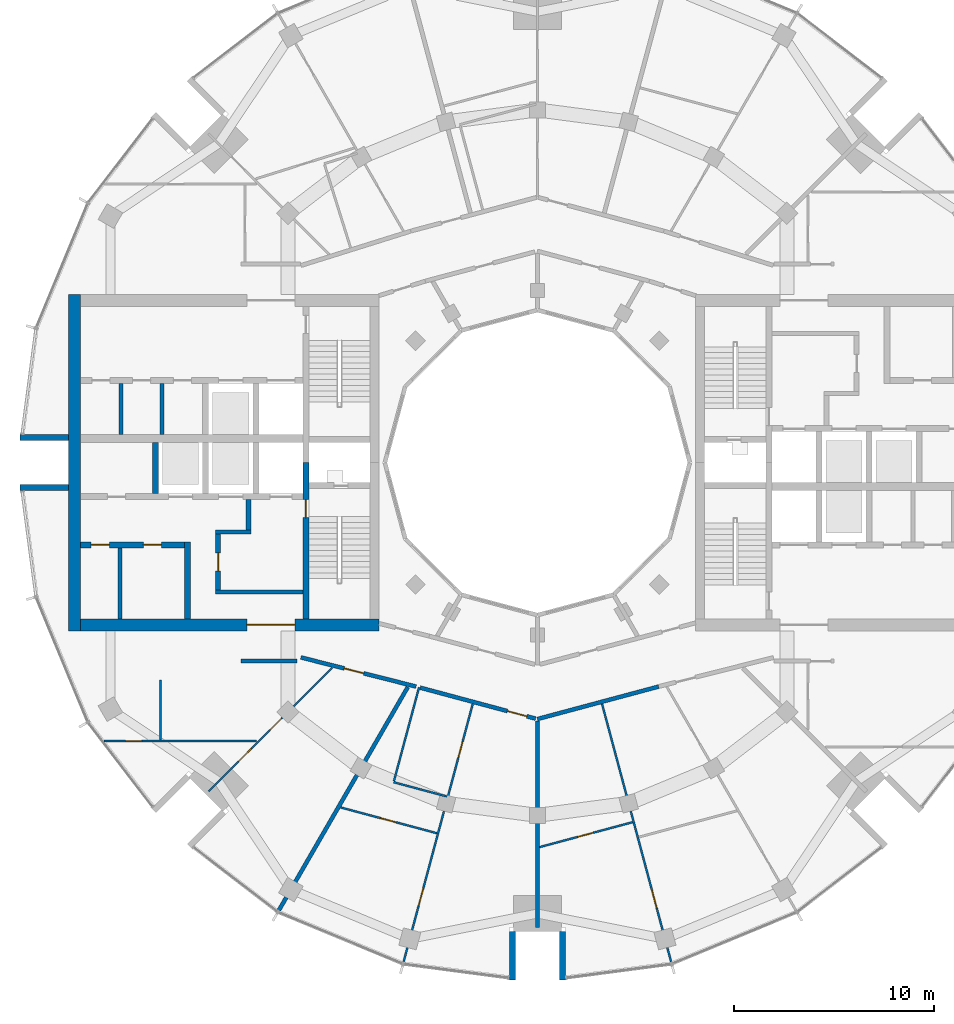
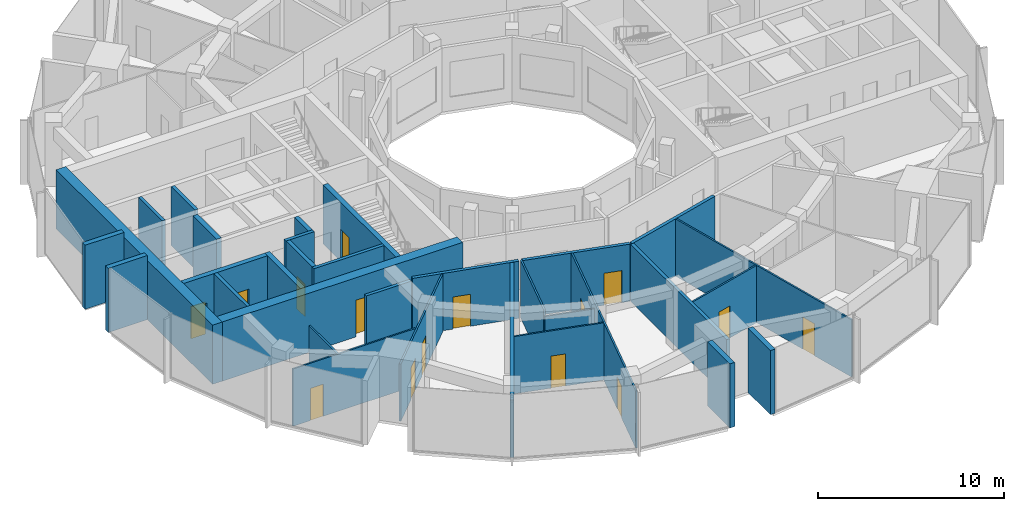
# One storey, part 8 of 15: 32 walls, 15 doors, 15 openings.
"""IFC4 building model written with IfcOpenShell, lengths in metres."""

from ifc_helpers import new_model, si_unit, direction, frame, frame_2d, origin, place, context, subcontext, project, spatial, rectangle, extrude, material, layer, layer_set, type_object, element, fill, save


model = new_model("IFC4")

# Units and contexts
model_context = context("Model", 3, precision=1e-05, world=origin(), true_north=direction((0.0, 1.0)))
body_context = subcontext(model_context, "Body", "Model", "MODEL_VIEW")
ifc_project = project(units=[si_unit("LENGTHUNIT", "METRE"), si_unit("AREAUNIT", "SQUARE_METRE"), si_unit("VOLUMEUNIT", "CUBIC_METRE"), si_unit("PLANEANGLEUNIT", "RADIAN"), si_unit("MASSUNIT", "GRAM", prefix="KILO")], contexts=[model_context])

# Site, building, storey
site_placement = place(None, origin())
site = spatial("IfcSite", under=ifc_project, at=site_placement, CompositionType="ELEMENT")
building_placement = place(site_placement, origin())
building = spatial("IfcBuilding", under=site, at=building_placement, Name="Torre Brocal", CompositionType="ELEMENT")
storey_placement = place(building_placement, frame((0.0, 0.0, 220.89990234375)))
storey = spatial("IfcBuildingStorey", under=building, at=storey_placement, Name="L51", CompositionType="ELEMENT", Elevation=220.89990234375)

# Walls
ifc_material_1 = material(Name="Masonry block", Category="masonry")
ifc_layer_1 = layer(ifc_material_1, 0.199951171875)
ifc_layer_set_1 = layer_set([ifc_layer_1], Name="Masonry block")
wall_type_1 = type_object("IfcWallType", Name="CORE PARTITION 200", PredefinedType="PARTITIONING", material=ifc_layer_set_1)
for number, where, z_axis, x_axis, name in (
    (1, (61.2666015625, 78.949951171875, 0.0), (0.0, 0.0, 1.0), (0.0, -1.0, 0.0), "Wall CP200"),
    (2, (59.2333984375, 78.949951171875, 0.0), (0.0, 0.0, 1.0), (0.0, -1.0, 0.0), "Wall CP200"),
):
    element("IfcWall", number, at=place(storey_placement, frame(where, z_axis=z_axis, x_axis=x_axis)), inside=storey, type_object=wall_type_1, Name=name, PredefinedType="PARTITIONING", context=body_context, shape_type="SweptSolid", body=[
        extrude(rectangle(XDim=2.550048828125, YDim=0.199951171875, at=frame_2d((1.27490234375, 0.0))), origin(), (0.0, 0.0, 1.0), 3.880126953125),
    ])
wall_1_placement = place(storey_placement, frame((59.176025390625, 70.75, 0.0), z_axis=(0.0, 0.0, 1.0), x_axis=(0.0, -1.0, 0.0)))
element("IfcWall", 3, at=wall_1_placement, inside=storey, type_object=wall_type_1, Name="Wall CP200", PredefinedType="PARTITIONING", context=body_context, shape_type="SweptSolid", body=[
    extrude(rectangle(XDim=3.550048828125, YDim=0.199951171875, at=frame_2d((1.77490234375, 0.0))), origin(), (0.0, 0.0, 1.0), 3.880126953125),
])
ifc_material_2 = material(Name="Concrete C60", Category="concrete")
ifc_layer_2 = layer(ifc_material_2, 0.199951171875)
ifc_layer_set_2 = layer_set([ifc_layer_2], Name="Concrete C60")
wall_type_2 = type_object("IfcWallType", Name="CORE WALL 200 C60", PredefinedType="SHEAR", material=ifc_layer_set_2)
wall_2_placement = place(storey_placement, frame((68.300048828125, 68.550048828125, 0.0), z_axis=(0.0, 0.0, 1.0), x_axis=(-1.0, 0.0, 0.0)))
element("IfcWall", 4, at=wall_2_placement, inside=storey, type_object=wall_type_2, Name="Wall CW200-60", PredefinedType="SHEAR", context=body_context, shape_type="SweptSolid", body=[
    extrude(rectangle(XDim=4.35009765625, YDim=0.199951171875, at=frame_2d((2.175048828125, 0.0))), origin(), (0.0, 0.0, 1.0), 3.880126953125),
])
wall_3_placement = place(storey_placement, frame((65.699951171875, 71.550048828125, 0.0), z_axis=(0.0, 0.0, 1.0), x_axis=(-1.0, 0.0, 0.0)))
element("IfcWall", 5, at=wall_3_placement, inside=storey, type_object=wall_type_2, Name="Wall CW200-60", PredefinedType="SHEAR", context=body_context, shape_type="SweptSolid", body=[
    extrude(rectangle(XDim=1.75, YDim=0.199951171875, at=frame_2d((0.875, 0.0))), origin(), (0.0, 0.0, 1.0), 3.880126953125),
])

# Wall, opening, door
ifc_material_3 = material(Name="Concrete C60", Category="concrete")
ifc_layer_3 = layer(ifc_material_3, 0.25)
ifc_layer_set_3 = layer_set([ifc_layer_3], Name="Concrete C60")
wall_type_3 = type_object("IfcWallType", Name="CORE WALL 250 C60", PredefinedType="SHEAR", material=ifc_layer_set_3)
wall_4_placement = place(storey_placement, frame((64.074951171875, 71.449951171875, 0.0), z_axis=(0.0, 0.0, 1.0), x_axis=(0.0, -1.0, 0.0)))
wall_4 = element("IfcWall", 6, at=wall_4_placement, inside=storey, type_object=wall_type_3, Name="Wall CW250-60", PredefinedType="SHEAR", context=body_context, shape_type="SweptSolid", body=[
    extrude(rectangle(XDim=2.800048828125, YDim=0.25, at=frame_2d((1.39990234375, 0.0))), origin(), (0.0, 0.0, 1.0), 3.880126953125),
])
opening_1_placement = place(wall_4_placement, frame((0.949951171875, 0.0, 0.0)))
opening_1 = element("IfcOpeningElement", 7, at=opening_1_placement, cuts=wall_4, Name="Opening W-D08", PredefinedType="OPENING", context=body_context, shape_type="SweptSolid", body=[
    extrude(rectangle(XDim=0.89990234375, YDim=2.10009765625, at=frame_2d((0.449951171875, 1.050048828125))), frame((0.0, 0.135009765625, 0.0), z_axis=(0.0, -1.0, 0.0), x_axis=(1.0, 0.0, 0.0)), (0.0, 0.0, 1.0), 0.27001953125),
])
ifc_material_4 = material(Name="Steel A653", Category="steel")
door_type_1 = type_object("IfcDoorType", Name="LOBBY DOOR FD120 900X2100", OperationType="SINGLE_SWING_RIGHT", PredefinedType="DOOR", material=ifc_material_4)
door_1_placement = place(opening_1_placement, origin())
door_1 = element("IfcDoor", 8, at=door_1_placement, inside=storey, type_object=door_type_1, Name="Door W-D08", OperationType="SINGLE_SWING_LEFT", OverallHeight=2.10009765625, OverallWidth=0.89990234375, PredefinedType="DOOR", context=body_context, shape_type="SweptSolid", body=[
    extrude(rectangle(XDim=0.89990234375, YDim=2.10009765625, at=frame_2d((0.449951171875, 1.050048828125))), frame((0.0, 0.02490234375, 0.0), z_axis=(0.0, -1.0, 0.0), x_axis=(1.0, 0.0, 0.0)), (0.0, 0.0, 1.0), 0.050048828125),
])
fill(opening_1, door_1)

# Wall
wall_5_placement = place(storey_placement, frame((65.574951171875, 73.14990234375, 0.0), z_axis=(0.0, 0.0, 1.0), x_axis=(0.0, -1.0, 0.0)))
element("IfcWall", 9, at=wall_5_placement, inside=storey, type_object=wall_type_3, Name="Wall CW250-60", PredefinedType="SHEAR", context=body_context, shape_type="SweptSolid", body=[
    extrude(rectangle(XDim=1.5, YDim=0.25, at=frame_2d((0.75, 0.0))), origin(), (0.0, 0.0, 1.0), 3.880126953125),
])

# Wall, opening, door
ifc_material_5 = material(Name="Concrete C60", Category="concrete")
ifc_layer_4 = layer(ifc_material_5, 0.300048828125)
ifc_layer_set_4 = layer_set([ifc_layer_4], Name="Concrete C60")
wall_type_4 = type_object("IfcWallType", Name="CORE WALL 300 C60", PredefinedType="SHEAR", material=ifc_layer_set_4)
wall_6_placement = place(storey_placement, frame((68.449951171875, 75.0, 0.0), z_axis=(0.0, 0.0, 1.0), x_axis=(0.0, -1.0, 0.0)))
wall_6 = element("IfcWall", 10, at=wall_6_placement, inside=storey, type_object=wall_type_4, Name="Wall CW300-60", PredefinedType="SHEAR", context=body_context, shape_type="SweptSolid", body=[
    extrude(rectangle(XDim=7.800048828125, YDim=0.300048828125, at=frame_2d((3.89990234375, 0.0))), origin(), (0.0, 0.0, 1.0), 3.880126953125),
])
opening_2_placement = place(wall_6_placement, frame((1.85009765625, 0.0, 0.0)))
opening_2 = element("IfcOpeningElement", 11, at=opening_2_placement, cuts=wall_6, Name="Opening W-D02", PredefinedType="OPENING", context=body_context, shape_type="SweptSolid", body=[
    extrude(rectangle(XDim=0.89990234375, YDim=2.10009765625, at=frame_2d((0.449951171875, 1.050048828125))), frame((0.0, 0.159912109375, 0.0), z_axis=(0.0, -1.0, 0.0), x_axis=(1.0, 0.0, 0.0)), (0.0, 0.0, 1.0), 0.320068359375),
])
ifc_material_6 = material(Name="Steel A653", Category="steel")
door_type_2 = type_object("IfcDoorType", Name="STAIR DOOR FD120 900X2100", OperationType="SINGLE_SWING_RIGHT", PredefinedType="DOOR", material=ifc_material_6)
door_2_placement = place(opening_2_placement, origin())
door_2 = element("IfcDoor", 12, at=door_2_placement, inside=storey, type_object=door_type_2, Name="Door W-D02", OperationType="SINGLE_SWING_LEFT", OverallHeight=2.10009765625, OverallWidth=0.89990234375, PredefinedType="DOOR", context=body_context, shape_type="SweptSolid", body=[
    extrude(rectangle(XDim=0.89990234375, YDim=2.10009765625, at=frame_2d((0.449951171875, 1.050048828125))), frame((0.0, 0.02490234375, 0.0), z_axis=(0.0, -1.0, 0.0), x_axis=(1.0, 0.0, 0.0)), (0.0, 0.0, 1.0), 0.050048828125),
])
fill(opening_2, door_2)

# Walls
wall_7_placement = place(storey_placement, frame((60.949951171875, 76.0, 0.0), z_axis=(0.0, 0.0, 1.0), x_axis=(0.0, -1.0, 0.0)))
element("IfcWall", 13, at=wall_7_placement, inside=storey, type_object=wall_type_4, Name="Wall CW300-60", PredefinedType="SHEAR", context=body_context, shape_type="SweptSolid", body=[
    extrude(rectangle(XDim=2.550048828125, YDim=0.300048828125, at=frame_2d((1.27490234375, 0.0))), origin(), (0.0, 0.0, 1.0), 3.880126953125),
])
wall_8_placement = place(storey_placement, frame((62.550048828125, 71.050048828125, 0.0), z_axis=(0.0, 0.0, 1.0), x_axis=(0.0, -1.0, 0.0)))
element("IfcWall", 14, at=wall_8_placement, inside=storey, type_object=wall_type_4, Name="Wall CW300-60", PredefinedType="SHEAR", context=body_context, shape_type="SweptSolid", body=[
    extrude(rectangle(XDim=3.85009765625, YDim=0.300048828125, at=frame_2d((1.925048828125, 0.0))), origin(), (0.0, 0.0, 1.0), 3.880126953125),
])

# Wall, openings, doors
wall_9_placement = place(storey_placement, frame((62.39990234375, 70.89990234375, 0.0), z_axis=(0.0, 0.0, 1.0), x_axis=(-1.0, 0.0, 0.0)))
wall_9 = element("IfcWall", 15, at=wall_9_placement, inside=storey, type_object=wall_type_4, Name="Wall CW300-60", PredefinedType="SHEAR", context=body_context, shape_type="SweptSolid", body=[
    extrude(rectangle(XDim=5.199951171875, YDim=0.300048828125, at=frame_2d((2.60009765625, 0.0))), origin(), (0.0, 0.0, 1.0), 3.880126953125),
])
opening_3_placement = place(wall_9_placement, frame((1.162109375, 0.0, 0.0)))
opening_3 = element("IfcOpeningElement", 16, at=opening_3_placement, cuts=wall_9, Name="Opening W-D09", PredefinedType="OPENING", context=body_context, shape_type="SweptSolid", body=[
    extrude(rectangle(XDim=0.89990234375, YDim=2.10009765625, at=frame_2d((0.449951171875, 1.050048828125))), frame((0.0, 0.159912109375, 0.0), z_axis=(0.0, -1.0, 0.0), x_axis=(1.0, 0.0, 0.0)), (0.0, 0.0, 1.0), 0.320068359375),
])
opening_4_placement = place(wall_9_placement, frame((3.761962890625, 0.0, 0.0)))
opening_4 = element("IfcOpeningElement", 17, at=opening_4_placement, cuts=wall_9, Name="Opening W-D10", PredefinedType="OPENING", context=body_context, shape_type="SweptSolid", body=[
    extrude(rectangle(XDim=0.89990234375, YDim=2.10009765625, at=frame_2d((0.449951171875, 1.050048828125))), frame((0.0, 0.159912109375, 0.0), z_axis=(0.0, -1.0, 0.0), x_axis=(1.0, 0.0, 0.0)), (0.0, 0.0, 1.0), 0.320068359375),
])
ifc_material_7 = material(Name="Steel A653", Category="steel")
door_type_3 = type_object("IfcDoorType", Name="ROOM DOOR FD30S 900X2100", OperationType="SINGLE_SWING_LEFT", PredefinedType="DOOR", material=ifc_material_7)
door_3_placement = place(opening_3_placement, origin())
door_3 = element("IfcDoor", 18, at=door_3_placement, inside=storey, type_object=door_type_3, Name="Door W-D09", OperationType="SINGLE_SWING_RIGHT", OverallHeight=2.10009765625, OverallWidth=0.89990234375, PredefinedType="DOOR", context=body_context, shape_type="SweptSolid", body=[
    extrude(rectangle(XDim=0.89990234375, YDim=2.10009765625, at=frame_2d((0.449951171875, 1.050048828125))), frame((0.0, 0.02490234375, 0.0), z_axis=(0.0, -1.0, 0.0), x_axis=(1.0, 0.0, 0.0)), (0.0, 0.0, 1.0), 0.050048828125),
])
fill(opening_3, door_3)
door_4_placement = place(opening_4_placement, origin())
door_4 = element("IfcDoor", 19, at=door_4_placement, inside=storey, type_object=door_type_3, Name="Door W-D10", OperationType="SINGLE_SWING_LEFT", OverallHeight=2.10009765625, OverallWidth=0.89990234375, PredefinedType="DOOR", context=body_context, shape_type="SweptSolid", body=[
    extrude(rectangle(XDim=0.89990234375, YDim=2.10009765625, at=frame_2d((0.449951171875, 1.050048828125))), frame((0.0, 0.02490234375, 0.0), z_axis=(0.0, -1.0, 0.0), x_axis=(1.0, 0.0, 0.0)), (0.0, 0.0, 1.0), 0.050048828125),
])
fill(opening_4, door_4)

# Wall, opening, door
ifc_material_8 = material(Name="Concrete C60", Category="concrete")
ifc_layer_5 = layer(ifc_material_8, 0.60009765625)
ifc_layer_set_5 = layer_set([ifc_layer_5], Name="Concrete C60")
wall_type_5 = type_object("IfcWallType", Name="CORE WALL 600 C60", PredefinedType="SHEAR", material=ifc_layer_set_5)
wall_10_placement = place(storey_placement, frame((72.10009765625, 66.89990234375, 0.0), z_axis=(0.0, 0.0, 1.0), x_axis=(-1.0, 0.0, 0.0)))
wall_10 = element("IfcWall", 20, at=wall_10_placement, inside=storey, type_object=wall_type_5, Name="Wall CW600-60", PredefinedType="SHEAR", context=body_context, shape_type="SweptSolid", body=[
    extrude(rectangle(XDim=14.900146484375, YDim=0.60009765625, at=frame_2d((7.4501953125, 0.0))), origin(), (0.0, 0.0, 1.0), 3.880126953125),
])
opening_5_placement = place(wall_10_placement, frame((4.199951171875, 0.0, 0.0)))
opening_5 = element("IfcOpeningElement", 21, at=opening_5_placement, cuts=wall_10, Name="Opening W-D34", PredefinedType="OPENING", context=body_context, shape_type="SweptSolid", body=[
    extrude(rectangle(XDim=2.39990234375, YDim=2.39990234375, at=frame_2d((1.199951171875, 1.199951171875))), frame((0.0, 0.31005859375, 0.0), z_axis=(0.0, -1.0, 0.0), x_axis=(1.0, 0.0, 0.0)), (0.0, 0.0, 1.0), 0.6201171875),
])
ifc_material_9 = material(Name="Steel A653", Category="steel")
door_type_4 = type_object("IfcDoorType", Name="DOUBLE FIRE DOOR FD90 2400X2400", OperationType="DOUBLE_DOOR_SINGLE_SWING", PredefinedType="DOOR", material=ifc_material_9)
door_5_placement = place(opening_5_placement, frame((2.39990234375, 0.0, 0.0), z_axis=(0.0, 0.0, 1.0), x_axis=(-1.0, 0.0, 0.0)))
door_5 = element("IfcDoor", 22, at=door_5_placement, inside=storey, type_object=door_type_4, Name="Door W-D34", OperationType="DOUBLE_DOOR_SINGLE_SWING", OverallHeight=2.39990234375, OverallWidth=2.39990234375, PredefinedType="DOOR", context=body_context, shape_type="SweptSolid", body=[
    extrude(rectangle(XDim=2.39990234375, YDim=2.39990234375, at=frame_2d((1.199951171875, 1.199951171875))), frame((0.0, 0.02490234375, 0.0), z_axis=(0.0, -1.0, 0.0), x_axis=(1.0, 0.0, 0.0)), (0.0, 0.0, 1.0), 0.050048828125),
])
fill(opening_5, door_5)

# Walls
wall_11_placement = place(storey_placement, frame((56.89990234375, 83.39990234375, 0.0), z_axis=(0.0, 0.0, 1.0), x_axis=(0.0, -1.0, 0.0)))
element("IfcWall", 23, at=wall_11_placement, inside=storey, type_object=wall_type_5, Name="Wall CW600-60", PredefinedType="SHEAR", context=body_context, shape_type="SweptSolid", body=[
    extrude(rectangle(XDim=16.7998046875, YDim=0.60009765625, at=frame_2d((8.39990234375, 0.0))), origin(), (0.0, 0.0, 1.0), 3.880126953125),
])
ifc_material_10 = material(Name="Concrete C60", Category="concrete")
ifc_layer_6 = layer(ifc_material_10, 0.300048828125)
ifc_layer_set_6 = layer_set([ifc_layer_6], Name="Concrete C60")
wall_type_6 = type_object("IfcWallType", Name="NOTCH RETURN WALL 300 C60", PredefinedType="NOTDEFINED", material=ifc_layer_set_6)
for number, where, z_axis, x_axis, name in (
    (24, (56.60009765625, 76.25, 0.0), (0.0, 0.0, 1.0), (-1.0, 0.0, 0.0), "NOTCH RETURN WALL"),
    (25, (56.60009765625, 73.75, 0.0), (0.0, 0.0, 1.0), (-1.0, 0.0, 0.0), "NOTCH RETURN WALL"),
    (26, (78.75, 51.60009765625, 0.0), (0.0, 0.0, 1.0), (0.0, -1.0, 0.0), "NOTCH RETURN WALL"),
    (27, (81.25, 51.60009765625, 0.0), (0.0, 0.0, 1.0), (0.0, -1.0, 0.0), "NOTCH RETURN WALL"),
):
    element("IfcWall", number, at=place(storey_placement, frame(where, z_axis=z_axis, x_axis=x_axis)), inside=storey, type_object=wall_type_6, Name=name, PredefinedType="NOTDEFINED", context=body_context, shape_type="SweptSolid", body=[
        extrude(rectangle(XDim=2.415771484375, YDim=0.300048828125, at=frame_2d((1.2080078125, 0.0))), origin(), (0.0, 0.0, 1.0), 4.2001953125),
    ])

# Wall, opening, door
ifc_material_11 = material(Name="Gypsum board", Category="Gypsum")
ifc_layer_7 = layer(ifc_material_11, 0.10009765625)
ifc_layer_set_7 = layer_set([ifc_layer_7], Name="Gypsum board")
wall_type_7 = type_object("IfcWallType", Name="PARTITION 100", PredefinedType="PARTITIONING", material=ifc_layer_set_7)
wall_12_placement = place(storey_placement, frame((58.37890625, 61.10009765625, 0.0), z_axis=(0.0, 0.0, 1.0), x_axis=(1.0, 0.0, 0.0)))
wall_12 = element("IfcWall", 28, at=wall_12_placement, inside=storey, type_object=wall_type_7, Name="BATHROOM WALL", PredefinedType="PARTITIONING", context=body_context, shape_type="SweptSolid", body=[
    extrude(rectangle(XDim=7.611083984375, YDim=0.10009765625, at=frame_2d((3.8056640625, 0.0))), origin(), (0.0, 0.0, 1.0), 3.75),
])
opening_6_placement = place(wall_12_placement, frame((1.075439453125, 0.0, 0.0)))
opening_6 = element("IfcOpeningElement", 29, at=opening_6_placement, cuts=wall_12, Name="Opening B02-D36", PredefinedType="OPENING", context=body_context, shape_type="SweptSolid", body=[
    extrude(rectangle(XDim=0.800048828125, YDim=2.10009765625, at=frame_2d((0.39990234375, 1.050048828125))), frame((0.0, 0.06005859375, 0.0), z_axis=(0.0, -1.0, 0.0), x_axis=(1.0, 0.0, 0.0)), (0.0, 0.0, 1.0), 0.1201171875),
])
ifc_material_12 = material(Name="Timber", Category="wood")
door_type_5 = type_object("IfcDoorType", Name="BATHROOM DOOR 800X2100", OperationType="SINGLE_SWING_LEFT", PredefinedType="DOOR", material=ifc_material_12)
door_6_placement = place(opening_6_placement, origin())
door_6 = element("IfcDoor", 30, at=door_6_placement, inside=storey, type_object=door_type_5, Name="B02-D36", OperationType="SINGLE_SWING_RIGHT", OverallHeight=2.10009765625, OverallWidth=0.800048828125, PredefinedType="DOOR", context=body_context, shape_type="SweptSolid", body=[
    extrude(rectangle(XDim=0.800048828125, YDim=2.10009765625, at=frame_2d((0.39990234375, 1.050048828125))), frame((0.0, 0.02490234375, 0.0), z_axis=(0.0, -1.0, 0.0), x_axis=(1.0, 0.0, 0.0)), (0.0, 0.0, 1.0), 0.050048828125),
])
fill(opening_6, door_6)

# Wall
wall_13_placement = place(storey_placement, frame((61.199951171875, 61.14990234375, 0.0), z_axis=(0.0, 0.0, 1.0), x_axis=(0.0, 1.0, 0.0)))
element("IfcWall", 31, at=wall_13_placement, inside=storey, type_object=wall_type_7, Name="BATHROOM WALL", PredefinedType="PARTITIONING", context=body_context, shape_type="SweptSolid", body=[
    extrude(rectangle(XDim=2.9951171875, YDim=0.10009765625, at=frame_2d((1.49755859375, 0.0))), origin(), (0.0, 0.0, 1.0), 3.75),
])

# Wall, openings, doors
wall_14_placement = place(storey_placement, frame((63.595703125, 58.595703125, 0.0), z_axis=(0.0, 0.0, 1.0), x_axis=(0.707106781187, 0.707106781187, 0.0)))
wall_14 = element("IfcWall", 32, at=wall_14_placement, inside=storey, type_object=wall_type_7, Name="BATHROOM WALL", PredefinedType="PARTITIONING", context=body_context, shape_type="SweptSolid", body=[
    extrude(rectangle(XDim=8.718994140625, YDim=0.10009765625, at=frame_2d((4.359375, 0.0))), origin(), (0.0, 0.0, 1.0), 3.75),
])
opening_7_placement = place(wall_14_placement, frame((2.11083984375, 0.0, 0.0)))
opening_7 = element("IfcOpeningElement", 33, at=opening_7_placement, cuts=wall_14, Name="Opening B02-D35", PredefinedType="OPENING", context=body_context, shape_type="SweptSolid", body=[
    extrude(rectangle(XDim=0.89990234375, YDim=2.10009765625, at=frame_2d((0.449951171875, 1.050048828125))), frame((0.0, 0.06005859375, 0.0), z_axis=(0.0, -1.0, 0.0), x_axis=(1.0, 0.0, 0.0)), (0.0, 0.0, 1.0), 0.1201171875),
])
opening_8_placement = place(wall_14_placement, frame((4.335205078125, 0.0, 0.0)))
opening_8 = element("IfcOpeningElement", 34, at=opening_8_placement, cuts=wall_14, Name="Opening B02-D37", PredefinedType="OPENING", context=body_context, shape_type="SweptSolid", body=[
    extrude(rectangle(XDim=0.800048828125, YDim=2.10009765625, at=frame_2d((0.39990234375, 1.050048828125))), frame((0.0, 0.06005859375, 0.0), z_axis=(0.0, -1.0, 0.0), x_axis=(1.0, 0.0, 0.0)), (0.0, 0.0, 1.0), 0.1201171875),
])
door_7_placement = place(opening_8_placement, origin())
door_7 = element("IfcDoor", 35, at=door_7_placement, inside=storey, type_object=door_type_5, Name="B02-D37", OperationType="SINGLE_SWING_LEFT", OverallHeight=2.10009765625, OverallWidth=0.800048828125, PredefinedType="DOOR", context=body_context, shape_type="SweptSolid", body=[
    extrude(rectangle(XDim=0.800048828125, YDim=2.10009765625, at=frame_2d((0.39990234375, 1.050048828125))), frame((0.0, 0.02490234375, 0.0), z_axis=(0.0, -1.0, 0.0), x_axis=(1.0, 0.0, 0.0)), (0.0, 0.0, 1.0), 0.050048828125),
])
fill(opening_8, door_7)
ifc_material_13 = material(Name="Timber", Category="wood")
door_type_6 = type_object("IfcDoorType", Name="ROOM DOOR 900X2100", OperationType="SINGLE_SWING_LEFT", PredefinedType="DOOR", material=ifc_material_13)
door_8_placement = place(opening_7_placement, origin())
door_8 = element("IfcDoor", 36, at=door_8_placement, inside=storey, type_object=door_type_6, Name="B02-D35", OperationType="SINGLE_SWING_LEFT", OverallHeight=2.10009765625, OverallWidth=0.89990234375, PredefinedType="DOOR", context=body_context, shape_type="SweptSolid", body=[
    extrude(rectangle(XDim=0.89990234375, YDim=2.10009765625, at=frame_2d((0.449951171875, 1.050048828125))), frame((0.0, 0.02490234375, 0.0), z_axis=(0.0, -1.0, 0.0), x_axis=(1.0, 0.0, 0.0)), (0.0, 0.0, 1.0), 0.050048828125),
])
fill(opening_7, door_8)

# Wall, opening, door
wall_15_placement = place(storey_placement, frame((70.188232421875, 57.79345703125, 0.0), z_axis=(0.0, 0.0, 1.0), x_axis=(0.965913212633, -0.258866115322, 0.0)))
wall_15 = element("IfcWall", 37, at=wall_15_placement, inside=storey, type_object=wall_type_7, Name="BATHROOM WALL", PredefinedType="PARTITIONING", context=body_context, shape_type="SweptSolid", body=[
    extrude(rectangle(XDim=4.973876953125, YDim=0.10009765625, at=frame_2d((2.48681640625, 0.0))), origin(), (0.0, 0.0, 1.0), 3.75),
])
opening_9_placement = place(wall_15_placement, frame((2.056884765625, 0.0, 0.0)))
opening_9 = element("IfcOpeningElement", 38, at=opening_9_placement, cuts=wall_15, Name="Opening B02-D32", PredefinedType="OPENING", context=body_context, shape_type="SweptSolid", body=[
    extrude(rectangle(XDim=0.800048828125, YDim=2.10009765625, at=frame_2d((0.39990234375, 1.050048828125))), frame((0.0, 0.06005859375, 0.0), z_axis=(0.0, -1.0, 0.0), x_axis=(1.0, 0.0, 0.0)), (0.0, 0.0, 1.0), 0.1201171875),
])
door_9_placement = place(opening_9_placement, origin())
door_9 = element("IfcDoor", 39, at=door_9_placement, inside=storey, type_object=door_type_5, Name="B02-D32", OperationType="SINGLE_SWING_LEFT", OverallHeight=2.10009765625, OverallWidth=0.800048828125, PredefinedType="DOOR", context=body_context, shape_type="SweptSolid", body=[
    extrude(rectangle(XDim=0.800048828125, YDim=2.10009765625, at=frame_2d((0.39990234375, 1.050048828125))), frame((0.0, 0.02490234375, 0.0), z_axis=(0.0, -1.0, 0.0), x_axis=(1.0, 0.0, 0.0)), (0.0, 0.0, 1.0), 0.050048828125),
])
fill(opening_9, door_9)

# Wall
wall_16_placement = place(storey_placement, frame((72.8408203125, 59.101318359375, 0.0), z_axis=(0.0, 0.0, 1.0), x_axis=(0.258799830155, 0.965930974714, 0.0)))
element("IfcWall", 40, at=wall_16_placement, inside=storey, type_object=wall_type_7, Name="BATHROOM WALL", PredefinedType="PARTITIONING", context=body_context, shape_type="SweptSolid", body=[
    extrude(rectangle(XDim=4.849853515625, YDim=0.10009765625, at=frame_2d((2.4248046875, 0.0))), origin(), (0.0, 0.0, 1.0), 3.75),
])

# Wall, openings, doors
wall_17_placement = place(storey_placement, frame((73.322509765625, 50.080810546875, 0.0), z_axis=(0.0, 0.0, 1.0), x_axis=(0.258961147073, 0.965887738977, 0.0)))
wall_17 = element("IfcWall", 41, at=wall_17_placement, inside=storey, type_object=wall_type_7, Name="BATHROOM WALL", PredefinedType="PARTITIONING", context=body_context, shape_type="SweptSolid", body=[
    extrude(rectangle(XDim=13.33837890625, YDim=0.10009765625, at=frame_2d((6.669189453125, 0.0))), origin(), (0.0, 0.0, 1.0), 3.75),
])
opening_10_placement = place(wall_17_placement, frame((2.904296875, 0.0, 0.0)))
opening_10 = element("IfcOpeningElement", 42, at=opening_10_placement, cuts=wall_17, Name="Opening B02-D31", PredefinedType="OPENING", context=body_context, shape_type="SweptSolid", body=[
    extrude(rectangle(XDim=0.89990234375, YDim=2.10009765625, at=frame_2d((0.449951171875, 1.050048828125))), frame((0.0, 0.06005859375, 0.0), z_axis=(0.0, -1.0, 0.0), x_axis=(1.0, 0.0, 0.0)), (0.0, 0.0, 1.0), 0.1201171875),
])
opening_11_placement = place(wall_17_placement, frame((10.578369140625, 0.0, 0.0)))
opening_11 = element("IfcOpeningElement", 43, at=opening_11_placement, cuts=wall_17, Name="Opening B02-D33", PredefinedType="OPENING", context=body_context, shape_type="SweptSolid", body=[
    extrude(rectangle(XDim=0.800048828125, YDim=2.10009765625, at=frame_2d((0.39990234375, 1.050048828125))), frame((0.0, 0.06005859375, 0.0), z_axis=(0.0, -1.0, 0.0), x_axis=(1.0, 0.0, 0.0)), (0.0, 0.0, 1.0), 0.1201171875),
])
door_10_placement = place(opening_11_placement, origin())
door_10 = element("IfcDoor", 44, at=door_10_placement, inside=storey, type_object=door_type_5, Name="B02-D33", OperationType="SINGLE_SWING_LEFT", OverallHeight=2.10009765625, OverallWidth=0.800048828125, PredefinedType="DOOR", context=body_context, shape_type="SweptSolid", body=[
    extrude(rectangle(XDim=0.800048828125, YDim=2.10009765625, at=frame_2d((0.39990234375, 1.050048828125))), frame((0.0, 0.02490234375, 0.0), z_axis=(0.0, -1.0, 0.0), x_axis=(1.0, 0.0, 0.0)), (0.0, 0.0, 1.0), 0.050048828125),
])
fill(opening_11, door_10)
door_11_placement = place(opening_10_placement, frame((0.89990234375, 0.0, 0.0), z_axis=(0.0, 0.0, 1.0), x_axis=(-1.0, 0.0, 0.0)))
door_11 = element("IfcDoor", 45, at=door_11_placement, inside=storey, type_object=door_type_6, Name="B02-D31", OperationType="SINGLE_SWING_RIGHT", OverallHeight=2.10009765625, OverallWidth=0.89990234375, PredefinedType="DOOR", context=body_context, shape_type="SweptSolid", body=[
    extrude(rectangle(XDim=0.89990234375, YDim=2.10009765625, at=frame_2d((0.449951171875, 1.050048828125))), frame((0.0, 0.02490234375, 0.0), z_axis=(0.0, -1.0, 0.0), x_axis=(1.0, 0.0, 0.0)), (0.0, 0.0, 1.0), 0.050048828125),
])
fill(opening_10, door_11)

# Wall, opening, door
wall_18_placement = place(storey_placement, frame((80.106201171875, 55.8134765625, 0.0), z_axis=(0.0, 0.0, 1.0), x_axis=(0.965936279421, 0.25878003033, 0.0)))
wall_18 = element("IfcWall", 46, at=wall_18_placement, inside=storey, type_object=wall_type_7, Name="BATHROOM WALL", PredefinedType="PARTITIONING", context=body_context, shape_type="SweptSolid", body=[
    extrude(rectangle(XDim=4.8134765625, YDim=0.10009765625, at=frame_2d((2.40673828125, 0.0))), origin(), (0.0, 0.0, 1.0), 3.75),
])
opening_12_placement = place(wall_18_placement, frame((1.976806640625, 0.0, 0.0)))
opening_12 = element("IfcOpeningElement", 47, at=opening_12_placement, cuts=wall_18, Name="Opening B02-D29", PredefinedType="OPENING", context=body_context, shape_type="SweptSolid", body=[
    extrude(rectangle(XDim=0.800048828125, YDim=2.10009765625, at=frame_2d((0.39990234375, 1.050048828125))), frame((0.0, 0.06005859375, 0.0), z_axis=(0.0, -1.0, 0.0), x_axis=(1.0, 0.0, 0.0)), (0.0, 0.0, 1.0), 0.1201171875),
])
door_12_placement = place(opening_12_placement, origin())
door_12 = element("IfcDoor", 48, at=door_12_placement, inside=storey, type_object=door_type_5, Name="B02-D29", OperationType="SINGLE_SWING_LEFT", OverallHeight=2.10009765625, OverallWidth=0.800048828125, PredefinedType="DOOR", context=body_context, shape_type="SweptSolid", body=[
    extrude(rectangle(XDim=0.800048828125, YDim=2.10009765625, at=frame_2d((0.39990234375, 1.050048828125))), frame((0.0, 0.02490234375, 0.0), z_axis=(0.0, -1.0, 0.0), x_axis=(1.0, 0.0, 0.0)), (0.0, 0.0, 1.0), 0.050048828125),
])
fill(opening_12, door_12)

wall_19_placement = place(storey_placement, frame((83.225341796875, 62.964599609375, 0.0), z_axis=(0.0, 0.0, 1.0), x_axis=(0.258742489642, -0.965946336012, 0.0)))
wall_19 = element("IfcWall", 49, at=wall_19_placement, inside=storey, type_object=wall_type_7, Name="BATHROOM WALL", PredefinedType="PARTITIONING", context=body_context, shape_type="SweptSolid", body=[
    extrude(rectangle(XDim=13.338134765625, YDim=0.10009765625, at=frame_2d((6.6689453125, 0.0))), origin(), (0.0, 0.0, 1.0), 3.75),
])
opening_13_placement = place(wall_19_placement, frame((9.643798828125, 0.0, 0.0)))
opening_13 = element("IfcOpeningElement", 50, at=opening_13_placement, cuts=wall_19, Name="Opening B02-D28", PredefinedType="OPENING", context=body_context, shape_type="SweptSolid", body=[
    extrude(rectangle(XDim=0.89990234375, YDim=2.10009765625, at=frame_2d((0.449951171875, 1.050048828125))), frame((0.0, 0.06005859375, 0.0), z_axis=(0.0, -1.0, 0.0), x_axis=(1.0, 0.0, 0.0)), (0.0, 0.0, 1.0), 0.1201171875),
])
door_13_placement = place(opening_13_placement, origin())
door_13 = element("IfcDoor", 51, at=door_13_placement, inside=storey, type_object=door_type_6, Name="B02-D28", OperationType="SINGLE_SWING_RIGHT", OverallHeight=2.10009765625, OverallWidth=0.89990234375, PredefinedType="DOOR", context=body_context, shape_type="SweptSolid", body=[
    extrude(rectangle(XDim=0.89990234375, YDim=2.10009765625, at=frame_2d((0.449951171875, 1.050048828125))), frame((0.0, 0.02490234375, 0.0), z_axis=(0.0, -1.0, 0.0), x_axis=(1.0, 0.0, 0.0)), (0.0, 0.0, 1.0), 0.050048828125),
])
fill(opening_13, door_13)

# Walls
ifc_material_14 = material(Name="Gypsum board", Category="Gypsum")
ifc_layer_8 = layer(ifc_material_14, 0.10009765625)
ifc_layer_set_8 = layer_set([ifc_layer_8], Name="Gypsum board")
wall_type_8 = type_object("IfcWallType", Name="PARTITION 100 UNDER BEAM 820", PredefinedType="PARTITIONING", material=ifc_layer_set_8)
wall_20_placement = place(storey_placement, frame((72.827880859375, 59.052978515625, 0.0), z_axis=(0.0, 0.0, 1.0), x_axis=(0.965899705866, -0.25891650818, 0.0)))
element("IfcWall", 52, at=wall_20_placement, inside=storey, type_object=wall_type_8, Name="BATHROOM WALL", PredefinedType="PARTITIONING", context=body_context, shape_type="SweptSolid", body=[
    extrude(rectangle(XDim=2.75048828125, YDim=0.10009765625, at=frame_2d((1.375244140625, 0.0))), origin(), (0.0, 0.0, 1.0), 3.380126953125),
])
ifc_material_15 = material(Name="Gypsum board", Category="Gypsum")
ifc_layer_9 = layer(ifc_material_15, 0.199951171875)
ifc_layer_set_9 = layer_set([ifc_layer_9], Name="Gypsum board")
wall_type_9 = type_object("IfcWallType", Name="PARTITION 200 EI60", PredefinedType="PARTITIONING", material=ifc_layer_set_9)
wall_21_placement = place(storey_placement, frame((65.199951171875, 65.10009765625, 0.0), z_axis=(0.0, 0.0, 1.0), x_axis=(1.0, 0.0, 0.0)))
element("IfcWall", 53, at=wall_21_placement, inside=storey, type_object=wall_type_9, Name="CORRIDOR WALL", PredefinedType="PARTITIONING", context=body_context, shape_type="SweptSolid", body=[
    extrude(rectangle(XDim=2.800048828125, YDim=0.199951171875, at=frame_2d((1.39990234375, 0.0))), origin(), (0.0, 0.0, 1.0), 3.75),
])
wall_22_placement = place(storey_placement, frame((67.099609375, 52.659423828125, 0.0), z_axis=(0.0, 0.0, 1.0), x_axis=(0.500128690501, 0.865951091539, 0.0)))
element("IfcWall", 54, at=wall_22_placement, inside=storey, type_object=wall_type_9, Name="BATHROOM WALL", PredefinedType="PARTITIONING", context=body_context, shape_type="SweptSolid", body=[
    extrude(rectangle(XDim=12.8662109375, YDim=0.199951171875, at=frame_2d((6.43310546875, 0.0))), origin(), (0.0, 0.0, 1.0), 3.75),
])

# Wall, opening, door
wall_23_placement = place(storey_placement, frame((68.199951171875, 65.280029296875, 0.0), z_axis=(0.0, 0.0, 1.0), x_axis=(0.969450596516, -0.245286650503, 0.0)))
wall_23 = element("IfcWall", 55, at=wall_23_placement, inside=storey, type_object=wall_type_9, Name="FLAT ENTRANCE WALL", PredefinedType="PARTITIONING", context=body_context, shape_type="SweptSolid", body=[
    extrude(rectangle(XDim=5.92822265625, YDim=0.199951171875, at=frame_2d((2.964111328125, 0.0))), origin(), (0.0, 0.0, 1.0), 3.75),
])
opening_14_placement = place(wall_23_placement, frame((2.239501953125, 0.0, 0.0)))
opening_14 = element("IfcOpeningElement", 56, at=opening_14_placement, cuts=wall_23, Name="Opening B02-D34", PredefinedType="OPENING", context=body_context, shape_type="SweptSolid", body=[
    extrude(rectangle(XDim=1.0, YDim=2.10009765625, at=frame_2d((0.5, 1.050048828125))), frame((0.0, 0.10986328125, 0.0), z_axis=(0.0, -1.0, 0.0), x_axis=(1.0, 0.0, 0.0)), (0.0, 0.0, 1.0), 0.219970703125),
])
ifc_material_16 = material(Name="Timber", Category="wood")
door_type_7 = type_object("IfcDoorType", Name="FLAT ENTRY DOOR FD30S 1000X2100", OperationType="SINGLE_SWING_RIGHT", PredefinedType="DOOR", material=ifc_material_16)
door_14_placement = place(opening_14_placement, frame((1.0, 0.0, 0.0), z_axis=(0.0, 0.0, 1.0), x_axis=(-1.0, 0.0, 0.0)))
door_14 = element("IfcDoor", 57, at=door_14_placement, inside=storey, type_object=door_type_7, Name="B02-D34", OperationType="SINGLE_SWING_RIGHT", OverallHeight=2.10009765625, OverallWidth=1.0, PredefinedType="DOOR", context=body_context, shape_type="SweptSolid", body=[
    extrude(rectangle(XDim=1.0, YDim=2.10009765625, at=frame_2d((0.5, 1.050048828125))), frame((0.0, 0.02490234375, 0.0), z_axis=(0.0, -1.0, 0.0), x_axis=(1.0, 0.0, 0.0)), (0.0, 0.0, 1.0), 0.050048828125),
])
fill(opening_14, door_14)

wall_24_placement = place(storey_placement, frame((74.14990234375, 63.771728515625, 0.0), z_axis=(0.0, 0.0, 1.0), x_axis=(0.965807109237, -0.259261697417, 0.0)))
wall_24 = element("IfcWall", 58, at=wall_24_placement, inside=storey, type_object=wall_type_9, Name="FLAT ENTRANCE WALL", PredefinedType="PARTITIONING", context=body_context, shape_type="SweptSolid", body=[
    extrude(rectangle(XDim=5.966552734375, YDim=0.199951171875, at=frame_2d((2.9833984375, 0.0))), origin(), (0.0, 0.0, 1.0), 3.75),
])
opening_15_placement = place(wall_24_placement, frame((4.506591796875, 0.0, 0.0)))
opening_15 = element("IfcOpeningElement", 59, at=opening_15_placement, cuts=wall_24, Name="Opening B02-D30", PredefinedType="OPENING", context=body_context, shape_type="SweptSolid", body=[
    extrude(rectangle(XDim=1.0, YDim=2.10009765625, at=frame_2d((0.5, 1.050048828125))), frame((0.0, 0.10986328125, 0.0), z_axis=(0.0, -1.0, 0.0), x_axis=(1.0, 0.0, 0.0)), (0.0, 0.0, 1.0), 0.219970703125),
])
door_15_placement = place(opening_15_placement, frame((1.0, 0.0, 0.0), z_axis=(0.0, 0.0, 1.0), x_axis=(-1.0, 0.0, 0.0)))
door_15 = element("IfcDoor", 60, at=door_15_placement, inside=storey, type_object=door_type_7, Name="B02-D30", OperationType="SINGLE_SWING_LEFT", OverallHeight=2.10009765625, OverallWidth=1.0, PredefinedType="DOOR", context=body_context, shape_type="SweptSolid", body=[
    extrude(rectangle(XDim=1.0, YDim=2.10009765625, at=frame_2d((0.5, 1.050048828125))), frame((0.0, 0.02490234375, 0.0), z_axis=(0.0, -1.0, 0.0), x_axis=(1.0, 0.0, 0.0)), (0.0, 0.0, 1.0), 0.050048828125),
])
fill(opening_15, door_15)

# Walls
wall_25_placement = place(storey_placement, frame((80.0, 51.800048828125, 0.0), z_axis=(0.0, 0.0, 1.0), x_axis=(0.0, 1.0, 0.0)))
element("IfcWall", 61, at=wall_25_placement, inside=storey, type_object=wall_type_9, Name="BATHROOM WALL", PredefinedType="PARTITIONING", context=body_context, shape_type="SweptSolid", body=[
    extrude(rectangle(XDim=10.31396484375, YDim=0.199951171875, at=frame_2d((5.156982421875, 0.0))), origin(), (0.0, 0.0, 1.0), 3.75),
])
wall_26_placement = place(storey_placement, frame((80.0, 62.2041015625, 0.0), z_axis=(0.0, 0.0, 1.0), x_axis=(0.965938139786, 0.258773086132, 0.0)))
element("IfcWall", 62, at=wall_26_placement, inside=storey, type_object=wall_type_9, Name="GUESTROOM CORRIDOR WALL", PredefinedType="PARTITIONING", context=body_context, shape_type="SweptSolid", body=[
    extrude(rectangle(XDim=6.266357421875, YDim=0.199951171875, at=frame_2d((3.13330078125, 0.0))), origin(), (0.0, 0.0, 1.0), 3.75),
])

save(model, "model.ifc")
